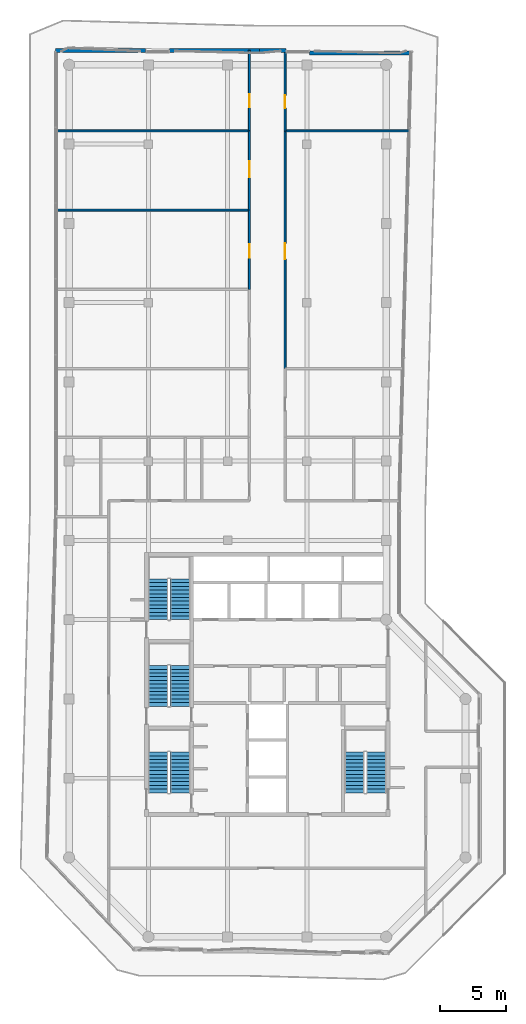
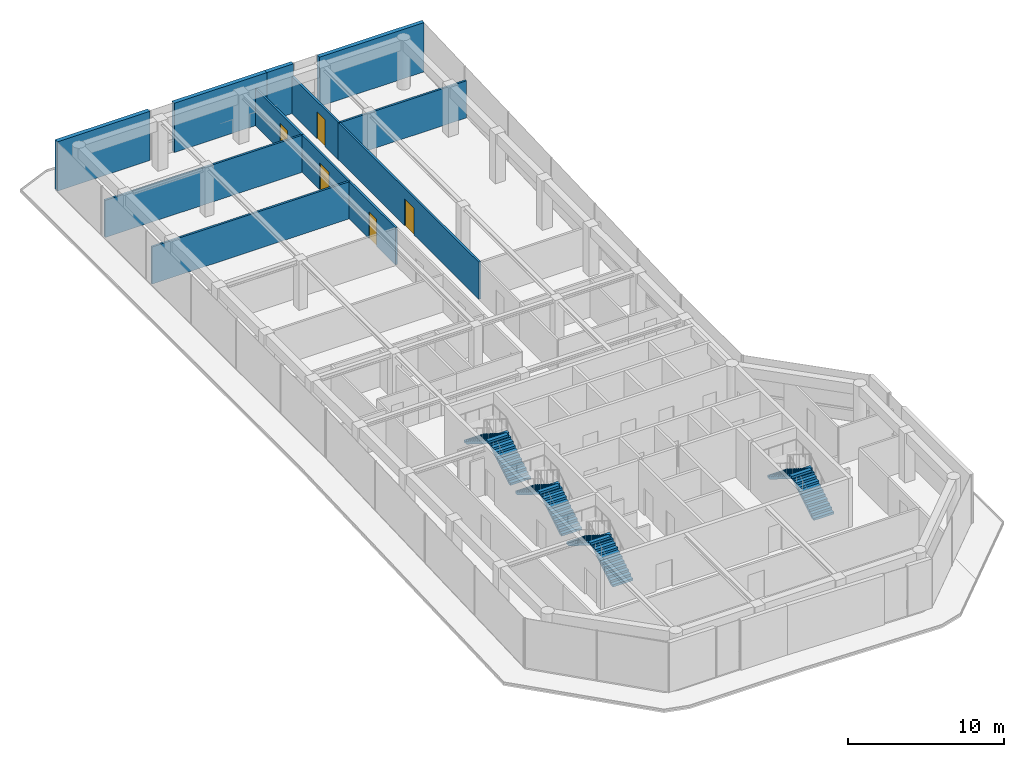
# One storey, part 16 of 18: 12 walls, 8 stair flights, 5 doors, 5 openings, 4 elements without a shape of their own.
"""IFC4 building model written with IfcOpenShell, lengths in metres."""

from ifc_helpers import new_model, si_unit, direction, frame, frame_2d, origin, place, context, subcontext, project, spatial, polyline, rectangle, outline, extrude, material, layer, layer_set, type_object, element, fill, aggregate, save


model = new_model("IFC4")

# Units and contexts
model_context = context("Model", 3, precision=1e-05, world=origin(), true_north=direction((0.0, 1.0)))
body_context = subcontext(model_context, "Body", "Model", "MODEL_VIEW")
ifc_project = project(units=[si_unit("LENGTHUNIT", "METRE"), si_unit("AREAUNIT", "SQUARE_METRE"), si_unit("VOLUMEUNIT", "CUBIC_METRE"), si_unit("PLANEANGLEUNIT", "RADIAN"), si_unit("MASSUNIT", "GRAM", prefix="KILO")], contexts=[model_context])

# Site, building, storey
site_placement = place(None, origin())
site = spatial("IfcSite", under=ifc_project, at=site_placement, CompositionType="ELEMENT")
building_placement = place(site_placement, origin())
building = spatial("IfcBuilding", under=site, at=building_placement, Name="Welwitschia Terrace Campus", CompositionType="ELEMENT")
storey_placement = place(building_placement, frame((0.0, 0.0, 281.0)))
storey = spatial("IfcBuildingStorey", under=building, at=storey_placement, Name="L62", CompositionType="ELEMENT", Elevation=281.0)

# Walls
ifc_material_1 = material(Name="Gypsum board on steel studs", Category="steel")
ifc_layer_1 = layer(ifc_material_1, 0.14990234375)
ifc_layer_set_1 = layer_set([ifc_layer_1], Name="Gypsum board on steel studs")
wall_type_1 = type_object("IfcWallType", Name="Corridor partition 150 EI 30", PredefinedType="PARTITIONING", material=ifc_layer_set_1)
for number, where, z_axis, x_axis, name in (
    (1, (-0.97998046875, 51.0, 0.0), (0.0, 0.0, 1.0), (1.0, 0.0, 0.0), "Partition"),
    (2, (-0.97998046875, 57.0, 0.0), (0.0, 0.0, 1.0), (1.0, 0.0, 0.0), "Partition"),
):
    element("IfcWall", number, at=place(storey_placement, frame(where, z_axis=z_axis, x_axis=x_axis)), inside=storey, type_object=wall_type_1, Name=name, PredefinedType="PARTITIONING", context=body_context, shape_type="SweptSolid", body=[
        extrude(rectangle(XDim=14.6298828125, YDim=0.14990234375, at=frame_2d((7.31494140625, 0.0))), origin(), (0.0, 0.0, 1.0), 2.89990234375),
    ])

# Wall, opening, door
wall_1_placement = place(storey_placement, frame((13.64990234375, 45.0, 0.0), z_axis=(0.0, 0.0, 1.0), x_axis=(0.0, 1.0, 0.0)))
wall_1 = element("IfcWall", 3, at=wall_1_placement, inside=storey, type_object=wall_type_1, Name="Partition", PredefinedType="PARTITIONING", context=body_context, shape_type="SweptSolid", body=[
    extrude(rectangle(XDim=6.0, YDim=0.14990234375, at=frame_2d((3.0, 0.0))), origin(), (0.0, 0.0, 1.0), 2.89990234375),
])
opening_1_placement = place(wall_1_placement, frame((2.39990234375, 0.0, 0.0)))
opening_1 = element("IfcOpeningElement", 4, at=opening_1_placement, cuts=wall_1, Name="Opening DI10", PredefinedType="OPENING", context=body_context, shape_type="SweptSolid", body=[
    extrude(rectangle(XDim=1.0, YDim=2.10009765625, at=frame_2d((0.5, 1.050048828125))), frame((0.0, 0.0849609375, 0.0), z_axis=(0.0, -1.0, 0.0), x_axis=(1.0, 0.0, 0.0)), (0.0, 0.0, 1.0), 0.169921875),
])
ifc_material_2 = material(Name="Timber veneered door", Category="wood")
door_type_1 = type_object("IfcDoorType", Name="Interior door DI10", OperationType="NOTDEFINED", PredefinedType="DOOR", material=ifc_material_2)
door_1_placement = place(opening_1_placement, origin())
door_1 = element("IfcDoor", 5, at=door_1_placement, inside=storey, type_object=door_type_1, Name="Door L62 1110", OperationType="SINGLE_SWING_LEFT", OverallHeight=2.10009765625, OverallWidth=1.0, PredefinedType="DOOR", context=body_context, shape_type="SweptSolid", body=[
    extrude(rectangle(XDim=1.0, YDim=2.10009765625, at=frame_2d((0.5, 1.050048828125))), frame((0.0, 0.02490234375, 0.0), z_axis=(0.0, -1.0, 0.0), x_axis=(1.0, 0.0, 0.0)), (0.0, 0.0, 1.0), 0.050048828125),
])
fill(opening_1, door_1)

wall_2_placement = place(storey_placement, frame((13.64990234375, 51.0, 0.0), z_axis=(0.0, 0.0, 1.0), x_axis=(0.0, 1.0, 0.0)))
wall_2 = element("IfcWall", 6, at=wall_2_placement, inside=storey, type_object=wall_type_1, Name="Partition", PredefinedType="PARTITIONING", context=body_context, shape_type="SweptSolid", body=[
    extrude(rectangle(XDim=6.0, YDim=0.14990234375, at=frame_2d((3.0, 0.0))), origin(), (0.0, 0.0, 1.0), 2.89990234375),
])
opening_2_placement = place(wall_2_placement, frame((2.5, 0.0, 0.0)))
opening_2 = element("IfcOpeningElement", 7, at=opening_2_placement, cuts=wall_2, Name="Opening DI12", PredefinedType="OPENING", context=body_context, shape_type="SweptSolid", body=[
    extrude(rectangle(XDim=1.199951171875, YDim=2.10009765625, at=frame_2d((0.60009765625, 1.050048828125))), frame((0.0, 0.0849609375, 0.0), z_axis=(0.0, -1.0, 0.0), x_axis=(1.0, 0.0, 0.0)), (0.0, 0.0, 1.0), 0.169921875),
])
ifc_material_3 = material(Name="Timber veneered door", Category="wood")
door_type_2 = type_object("IfcDoorType", Name="Interior door DI12", OperationType="NOTDEFINED", PredefinedType="DOOR", material=ifc_material_3)
door_2_placement = place(opening_2_placement, origin())
door_2 = element("IfcDoor", 8, at=door_2_placement, inside=storey, type_object=door_type_2, Name="Door L62 1111", OperationType="SINGLE_SWING_RIGHT", OverallHeight=2.10009765625, OverallWidth=1.199951171875, PredefinedType="DOOR", context=body_context, shape_type="SweptSolid", body=[
    extrude(rectangle(XDim=1.199951171875, YDim=2.10009765625, at=frame_2d((0.60009765625, 1.050048828125))), frame((0.0, 0.02490234375, 0.0), z_axis=(0.0, -1.0, 0.0), x_axis=(1.0, 0.0, 0.0)), (0.0, 0.0, 1.0), 0.050048828125),
])
fill(opening_2, door_2)

wall_3_placement = place(storey_placement, frame((13.64990234375, 57.0, 0.0), z_axis=(0.0, 0.0, 1.0), x_axis=(0.0, 1.0, 0.0)))
wall_3 = element("IfcWall", 9, at=wall_3_placement, inside=storey, type_object=wall_type_1, Name="Partition", PredefinedType="PARTITIONING", context=body_context, shape_type="SweptSolid", body=[
    extrude(rectangle(XDim=6.089599609375, YDim=0.14990234375, at=frame_2d((3.044921875, 0.0))), origin(), (0.0, 0.0, 1.0), 2.89990234375),
])
opening_3_placement = place(wall_3_placement, frame((1.780029296875, 0.0, 0.0)))
opening_3 = element("IfcOpeningElement", 10, at=opening_3_placement, cuts=wall_3, Name="Opening DI10", PredefinedType="OPENING", context=body_context, shape_type="SweptSolid", body=[
    extrude(rectangle(XDim=1.0, YDim=2.10009765625, at=frame_2d((0.5, 1.050048828125))), frame((0.0, 0.0849609375, 0.0), z_axis=(0.0, -1.0, 0.0), x_axis=(1.0, 0.0, 0.0)), (0.0, 0.0, 1.0), 0.169921875),
])
door_3_placement = place(opening_3_placement, origin())
door_3 = element("IfcDoor", 11, at=door_3_placement, inside=storey, type_object=door_type_1, Name="Door L62 1112", OperationType="SINGLE_SWING_LEFT", OverallHeight=2.10009765625, OverallWidth=1.0, PredefinedType="DOOR", context=body_context, shape_type="SweptSolid", body=[
    extrude(rectangle(XDim=1.0, YDim=2.10009765625, at=frame_2d((0.5, 1.050048828125))), frame((0.0, 0.02490234375, 0.0), z_axis=(0.0, -1.0, 0.0), x_axis=(1.0, 0.0, 0.0)), (0.0, 0.0, 1.0), 0.050048828125),
])
fill(opening_3, door_3)

wall_4_placement = place(storey_placement, frame((16.35009765625, 57.0, 0.0), z_axis=(0.0, 0.0, 1.0), x_axis=(0.0, -1.0, 0.0)))
wall_4 = element("IfcWall", 12, at=wall_4_placement, inside=storey, type_object=wall_type_1, Name="Partition", PredefinedType="PARTITIONING", context=body_context, shape_type="SweptSolid", body=[
    extrude(rectangle(XDim=18.0, YDim=0.14990234375, at=frame_2d((9.0, 0.0))), origin(), (0.0, 0.0, 1.0), 2.89990234375),
])
opening_4_placement = place(wall_4_placement, frame((8.5, 0.0, 0.0)))
opening_4 = element("IfcOpeningElement", 13, at=opening_4_placement, cuts=wall_4, Name="Opening DI12", PredefinedType="OPENING", context=body_context, shape_type="SweptSolid", body=[
    extrude(rectangle(XDim=1.199951171875, YDim=2.10009765625, at=frame_2d((0.60009765625, 1.050048828125))), frame((0.0, 0.0849609375, 0.0), z_axis=(0.0, -1.0, 0.0), x_axis=(1.0, 0.0, 0.0)), (0.0, 0.0, 1.0), 0.169921875),
])
door_4_placement = place(opening_4_placement, origin())
door_4 = element("IfcDoor", 14, at=door_4_placement, inside=storey, type_object=door_type_2, Name="Door L62 1114", OperationType="SINGLE_SWING_LEFT", OverallHeight=2.10009765625, OverallWidth=1.199951171875, PredefinedType="DOOR", context=body_context, shape_type="SweptSolid", body=[
    extrude(rectangle(XDim=1.199951171875, YDim=2.10009765625, at=frame_2d((0.60009765625, 1.050048828125))), frame((0.0, 0.02490234375, 0.0), z_axis=(0.0, -1.0, 0.0), x_axis=(1.0, 0.0, 0.0)), (0.0, 0.0, 1.0), 0.050048828125),
])
fill(opening_4, door_4)

# Wall
wall_5_placement = place(storey_placement, frame((16.35009765625, 57.0, 0.0), z_axis=(0.0, 0.0, 1.0), x_axis=(1.0, 0.0, 0.0)))
element("IfcWall", 15, at=wall_5_placement, inside=storey, type_object=wall_type_1, Name="Partition", PredefinedType="PARTITIONING", context=body_context, shape_type="SweptSolid", body=[
    extrude(rectangle(XDim=9.3798828125, YDim=0.14990234375, at=frame_2d((4.68994140625, 0.0))), origin(), (0.0, 0.0, 1.0), 2.89990234375),
])

# Wall, opening, door
wall_6_placement = place(storey_placement, frame((16.35009765625, 62.965087890625, 0.0), z_axis=(0.0, 0.0, 1.0), x_axis=(0.0, -1.0, 0.0)))
wall_6 = element("IfcWall", 16, at=wall_6_placement, inside=storey, type_object=wall_type_1, Name="Partition", PredefinedType="PARTITIONING", context=body_context, shape_type="SweptSolid", body=[
    extrude(rectangle(XDim=5.965087890625, YDim=0.14990234375, at=frame_2d((2.982421875, 0.0))), origin(), (0.0, 0.0, 1.0), 2.89990234375),
])
opening_5_placement = place(wall_6_placement, frame((3.264892578125, 0.0, 0.0)))
opening_5 = element("IfcOpeningElement", 17, at=opening_5_placement, cuts=wall_6, Name="Opening DI10", PredefinedType="OPENING", context=body_context, shape_type="SweptSolid", body=[
    extrude(rectangle(XDim=1.0, YDim=2.10009765625, at=frame_2d((0.5, 1.050048828125))), frame((0.0, 0.0849609375, 0.0), z_axis=(0.0, -1.0, 0.0), x_axis=(1.0, 0.0, 0.0)), (0.0, 0.0, 1.0), 0.169921875),
])
door_5_placement = place(opening_5_placement, origin())
door_5 = element("IfcDoor", 18, at=door_5_placement, inside=storey, type_object=door_type_1, Name="Door L62 1115", OperationType="SINGLE_SWING_RIGHT", OverallHeight=2.10009765625, OverallWidth=1.0, PredefinedType="DOOR", context=body_context, shape_type="SweptSolid", body=[
    extrude(rectangle(XDim=1.0, YDim=2.10009765625, at=frame_2d((0.5, 1.050048828125))), frame((0.0, 0.02490234375, 0.0), z_axis=(0.0, -1.0, 0.0), x_axis=(1.0, 0.0, 0.0)), (0.0, 0.0, 1.0), 0.050048828125),
])
fill(opening_5, door_5)

# Walls
ifc_material_4 = material(Name="Concrete C40/50", Category="concrete")
ifc_layer_2 = layer(ifc_material_4, 0.300048828125)
ifc_layer_set_2 = layer_set([ifc_layer_2], Name="Concrete C40/50")
wall_type_2 = type_object("IfcWallType", Name="Mass wall 300", PredefinedType="SOLIDWALL", material=ifc_layer_set_2)
wall_7_placement = place(storey_placement, frame((25.94091796875, 62.8798828125, 0.0), z_axis=(0.0, 0.0, 1.0), x_axis=(-1.0, 0.0, 0.0)))
element("IfcWall", 19, at=wall_7_placement, inside=storey, type_object=wall_type_2, Name="Mass wall L62.10.0", PredefinedType="SOLIDWALL", context=body_context, shape_type="SweptSolid", body=[
    extrude(rectangle(XDim=7.73583984375, YDim=0.300048828125, at=frame_2d((3.867919921875, 0.0))), origin(), (0.0, 0.0, 1.0), 3.85009765625),
])
wall_8_placement = place(storey_placement, frame((16.405029296875, 63.080078125, 0.0), z_axis=(0.0, 0.0, 1.0), x_axis=(-1.0, 0.0, 0.0)))
element("IfcWall", 20, at=wall_8_placement, inside=storey, type_object=wall_type_2, Name="Mass wall L62.10.1", PredefinedType="SOLIDWALL", context=body_context, shape_type="SweptSolid", body=[
    extrude(rectangle(XDim=1.978515625, YDim=0.300048828125, at=frame_2d((0.9892578125, 0.0))), origin(), (0.0, 0.0, 1.0), 3.85009765625),
])
wall_9_placement = place(storey_placement, frame((14.426513671875, 63.080078125, 0.0), z_axis=(0.0, 0.0, 1.0), x_axis=(-0.999999792909, -0.000643569533, 0.0)))
element("IfcWall", 21, at=wall_9_placement, inside=storey, type_object=wall_type_2, Name="Mass wall L62.11.0", PredefinedType="SOLIDWALL", context=body_context, shape_type="SweptSolid", body=[
    extrude(rectangle(XDim=6.828369140625, YDim=0.300048828125, at=frame_2d((3.4140625, 0.0))), origin(), (0.0, 0.0, 1.0), 3.85009765625),
])
wall_10_placement = place(storey_placement, frame((5.798095703125, 63.090576171875, 0.0), z_axis=(0.0, 0.0, 1.0), x_axis=(-0.999999792894, -0.000643592544, 0.0)))
element("IfcWall", 22, at=wall_10_placement, inside=storey, type_object=wall_type_2, Name="Mass wall L62.11.1", PredefinedType="SOLIDWALL", context=body_context, shape_type="SweptSolid", body=[
    extrude(rectangle(XDim=6.828125, YDim=0.300048828125, at=frame_2d((3.4140625, 0.0))), origin(), (0.0, 0.0, 1.0), 3.85009765625),
])

# Stair, stair flights
ifc_material_5 = material(Name="Concrete C40/50", Category="concrete")
stair_type = type_object("IfcStairType", Name="Stair 24R 175 W1500", PredefinedType="HALF_TURN_STAIR", material=ifc_material_5)
stair_1_placement = place(storey_placement, origin())
stair_1 = element("IfcStair", 23, at=stair_1_placement, inside=storey, type_object=stair_type, Name="L62 Exit stair S1", PredefinedType="HALF_TURN_STAIR")
ifc_material_6 = material(Name="Concrete C40/50", Category="concrete")
stair_flight_type = type_object("IfcStairFlightType", Name="Stair flight 24R 175 W1500", PredefinedType="STRAIGHT", material=ifc_material_6)
stair_flight_1_placement = place(storey_placement, frame((8.39990234375, 6.89990234375, 0.0), z_axis=(0.0, 0.0, 1.0), x_axis=(0.0, 1.0, 0.0)))
stair_flight_1 = element("IfcStairFlight", 24, at=stair_flight_1_placement, type_object=stair_flight_type, Name="S1 flight 1", NumberOfRisers=12, NumberOfTreads=11, PredefinedType="STRAIGHT", RiserHeight=0.175, TreadLength=0.28, context=body_context, shape_type="SweptSolid", body=[
    extrude(outline(polyline([(0.0, 0.0), (0.0, 0.175048828125), (0.280029296875, 0.175048828125), (0.280029296875, 0.35009765625), (0.56005859375, 0.35009765625), (0.56005859375, 0.52490234375), (0.840087890625, 0.52490234375), (0.840087890625, 0.699951171875), (1.1201171875, 0.699951171875), (1.1201171875, 0.875), (1.39990234375, 0.875), (1.39990234375, 1.050048828125), (1.679931640625, 1.050048828125), (1.679931640625, 1.22509765625), (1.9599609375, 1.22509765625), (1.9599609375, 1.39990234375), (2.239990234375, 1.39990234375), (2.239990234375, 1.574951171875), (2.52001953125, 1.574951171875), (2.52001953125, 1.75), (2.800048828125, 1.75), (2.800048828125, 1.925048828125), (3.080078125, 1.925048828125), (3.080078125, 2.10009765625), (3.080078125, 1.748291015625), (0.28271484375, 0.0), (0.0, 0.0)])), frame((0.0, 0.75, 0.0), z_axis=(0.0, -1.0, 0.0), x_axis=(1.0, 0.0, 0.0)), (0.0, 0.0, 1.0), 1.5),
])
stair_flight_2_placement = place(storey_placement, frame((6.75, 9.97998046875, 2.10009765625), z_axis=(0.0, 0.0, 1.0), x_axis=(0.0, -1.0, 0.0)))
stair_flight_2 = element("IfcStairFlight", 25, at=stair_flight_2_placement, type_object=stair_flight_type, Name="S1 flight 2", NumberOfRisers=12, NumberOfTreads=11, PredefinedType="STRAIGHT", RiserHeight=0.175, TreadLength=0.28, context=body_context, shape_type="SweptSolid", body=[
    extrude(outline(polyline([(0.0, 0.0), (0.0, 0.175048828125), (0.280029296875, 0.175048828125), (0.280029296875, 0.35009765625), (0.56005859375, 0.35009765625), (0.56005859375, 0.52490234375), (0.840087890625, 0.52490234375), (0.840087890625, 0.699951171875), (1.1201171875, 0.699951171875), (1.1201171875, 0.875), (1.39990234375, 0.875), (1.39990234375, 1.050048828125), (1.679931640625, 1.050048828125), (1.679931640625, 1.22509765625), (1.9599609375, 1.22509765625), (1.9599609375, 1.39990234375), (2.239990234375, 1.39990234375), (2.239990234375, 1.574951171875), (2.52001953125, 1.574951171875), (2.52001953125, 1.75), (2.800048828125, 1.75), (2.800048828125, 1.925048828125), (3.080078125, 1.925048828125), (3.080078125, 2.10009765625), (3.080078125, 1.748291015625), (0.28271484375, 0.0), (0.0, 0.0)])), frame((0.0, 0.75, 0.0), z_axis=(0.0, -1.0, 0.0), x_axis=(1.0, 0.0, 0.0)), (0.0, 0.0, 1.0), 1.5),
])
aggregate(stair_1, [stair_flight_1, stair_flight_2])

stair_2_placement = place(storey_placement, origin())
stair_2 = element("IfcStair", 26, at=stair_2_placement, inside=storey, type_object=stair_type, Name="L62 Exit stair S3", PredefinedType="HALF_TURN_STAIR")
stair_flight_3_placement = place(storey_placement, frame((8.39990234375, 13.449951171875, 0.0), z_axis=(0.0, 0.0, 1.0), x_axis=(0.0, 1.0, 0.0)))
stair_flight_3 = element("IfcStairFlight", 27, at=stair_flight_3_placement, type_object=stair_flight_type, Name="S3 flight 1", NumberOfRisers=12, NumberOfTreads=11, PredefinedType="STRAIGHT", RiserHeight=0.175, TreadLength=0.28, context=body_context, shape_type="SweptSolid", body=[
    extrude(outline(polyline([(0.0, 0.0), (0.0, 0.175048828125), (0.280029296875, 0.175048828125), (0.280029296875, 0.35009765625), (0.56005859375, 0.35009765625), (0.56005859375, 0.52490234375), (0.840087890625, 0.52490234375), (0.840087890625, 0.699951171875), (1.1201171875, 0.699951171875), (1.1201171875, 0.875), (1.39990234375, 0.875), (1.39990234375, 1.050048828125), (1.679931640625, 1.050048828125), (1.679931640625, 1.22509765625), (1.9599609375, 1.22509765625), (1.9599609375, 1.39990234375), (2.239990234375, 1.39990234375), (2.239990234375, 1.574951171875), (2.52001953125, 1.574951171875), (2.52001953125, 1.75), (2.800048828125, 1.75), (2.800048828125, 1.925048828125), (3.080078125, 1.925048828125), (3.080078125, 2.10009765625), (3.080078125, 1.748291015625), (0.28271484375, 0.0), (0.0, 0.0)])), frame((0.0, 0.75, 0.0), z_axis=(0.0, -1.0, 0.0), x_axis=(1.0, 0.0, 0.0)), (0.0, 0.0, 1.0), 1.5),
])
stair_flight_4_placement = place(storey_placement, frame((6.75, 16.530029296875, 2.10009765625), z_axis=(0.0, 0.0, 1.0), x_axis=(0.0, -1.0, 0.0)))
stair_flight_4 = element("IfcStairFlight", 28, at=stair_flight_4_placement, type_object=stair_flight_type, Name="S3 flight 2", NumberOfRisers=12, NumberOfTreads=11, PredefinedType="STRAIGHT", RiserHeight=0.175, TreadLength=0.28, context=body_context, shape_type="SweptSolid", body=[
    extrude(outline(polyline([(0.0, 0.0), (0.0, 0.175048828125), (0.280029296875, 0.175048828125), (0.280029296875, 0.35009765625), (0.56005859375, 0.35009765625), (0.56005859375, 0.52490234375), (0.840087890625, 0.52490234375), (0.840087890625, 0.699951171875), (1.1201171875, 0.699951171875), (1.1201171875, 0.875), (1.39990234375, 0.875), (1.39990234375, 1.050048828125), (1.679931640625, 1.050048828125), (1.679931640625, 1.22509765625), (1.9599609375, 1.22509765625), (1.9599609375, 1.39990234375), (2.239990234375, 1.39990234375), (2.239990234375, 1.574951171875), (2.52001953125, 1.574951171875), (2.52001953125, 1.75), (2.800048828125, 1.75), (2.800048828125, 1.925048828125), (3.080078125, 1.925048828125), (3.080078125, 2.10009765625), (3.080078125, 1.748291015625), (0.28271484375, 0.0), (0.0, 0.0)])), frame((0.0, 0.75, 0.0), z_axis=(0.0, -1.0, 0.0), x_axis=(1.0, 0.0, 0.0)), (0.0, 0.0, 1.0), 1.5),
])
aggregate(stair_2, [stair_flight_3, stair_flight_4])

stair_3_placement = place(storey_placement, origin())
stair_3 = element("IfcStair", 29, at=stair_3_placement, inside=storey, type_object=stair_type, Name="L62 Exit stair S4", PredefinedType="HALF_TURN_STAIR")
stair_flight_5_placement = place(storey_placement, frame((8.39990234375, 20.0, 0.0), z_axis=(0.0, 0.0, 1.0), x_axis=(0.0, 1.0, 0.0)))
stair_flight_5 = element("IfcStairFlight", 30, at=stair_flight_5_placement, type_object=stair_flight_type, Name="S4 flight 1", NumberOfRisers=12, NumberOfTreads=11, PredefinedType="STRAIGHT", RiserHeight=0.175, TreadLength=0.28, context=body_context, shape_type="SweptSolid", body=[
    extrude(outline(polyline([(0.0, 0.0), (0.0, 0.175048828125), (0.280029296875, 0.175048828125), (0.280029296875, 0.35009765625), (0.56005859375, 0.35009765625), (0.56005859375, 0.52490234375), (0.840087890625, 0.52490234375), (0.840087890625, 0.699951171875), (1.1201171875, 0.699951171875), (1.1201171875, 0.875), (1.39990234375, 0.875), (1.39990234375, 1.050048828125), (1.679931640625, 1.050048828125), (1.679931640625, 1.22509765625), (1.9599609375, 1.22509765625), (1.9599609375, 1.39990234375), (2.239990234375, 1.39990234375), (2.239990234375, 1.574951171875), (2.52001953125, 1.574951171875), (2.52001953125, 1.75), (2.800048828125, 1.75), (2.800048828125, 1.925048828125), (3.080078125, 1.925048828125), (3.080078125, 2.10009765625), (3.080078125, 1.748291015625), (0.28271484375, 0.0), (0.0, 0.0)])), frame((0.0, 0.75, 0.0), z_axis=(0.0, -1.0, 0.0), x_axis=(1.0, 0.0, 0.0)), (0.0, 0.0, 1.0), 1.5),
])
stair_flight_6_placement = place(storey_placement, frame((6.75, 23.080078125, 2.10009765625), z_axis=(0.0, 0.0, 1.0), x_axis=(0.0, -1.0, 0.0)))
stair_flight_6 = element("IfcStairFlight", 31, at=stair_flight_6_placement, type_object=stair_flight_type, Name="S4 flight 2", NumberOfRisers=12, NumberOfTreads=11, PredefinedType="STRAIGHT", RiserHeight=0.175, TreadLength=0.28, context=body_context, shape_type="SweptSolid", body=[
    extrude(outline(polyline([(0.0, 0.0), (0.0, 0.175048828125), (0.280029296875, 0.175048828125), (0.280029296875, 0.35009765625), (0.56005859375, 0.35009765625), (0.56005859375, 0.52490234375), (0.840087890625, 0.52490234375), (0.840087890625, 0.699951171875), (1.1201171875, 0.699951171875), (1.1201171875, 0.875), (1.39990234375, 0.875), (1.39990234375, 1.050048828125), (1.679931640625, 1.050048828125), (1.679931640625, 1.22509765625), (1.9599609375, 1.22509765625), (1.9599609375, 1.39990234375), (2.239990234375, 1.39990234375), (2.239990234375, 1.574951171875), (2.52001953125, 1.574951171875), (2.52001953125, 1.75), (2.800048828125, 1.75), (2.800048828125, 1.925048828125), (3.080078125, 1.925048828125), (3.080078125, 2.10009765625), (3.080078125, 1.748291015625), (0.28271484375, 0.0), (0.0, 0.0)])), frame((0.0, 0.75, 0.0), z_axis=(0.0, -1.0, 0.0), x_axis=(1.0, 0.0, 0.0)), (0.0, 0.0, 1.0), 1.5),
])
aggregate(stair_3, [stair_flight_5, stair_flight_6])

stair_4_placement = place(storey_placement, origin())
stair_4 = element("IfcStair", 32, at=stair_4_placement, inside=storey, type_object=stair_type, Name="L62 Exit stair S2", PredefinedType="HALF_TURN_STAIR")
stair_flight_7_placement = place(storey_placement, frame((23.25, 6.89990234375, 0.0), z_axis=(0.0, 0.0, 1.0), x_axis=(0.0, 1.0, 0.0)))
stair_flight_7 = element("IfcStairFlight", 33, at=stair_flight_7_placement, type_object=stair_flight_type, Name="S2 flight 1", NumberOfRisers=12, NumberOfTreads=11, PredefinedType="STRAIGHT", RiserHeight=0.175, TreadLength=0.28, context=body_context, shape_type="SweptSolid", body=[
    extrude(outline(polyline([(0.0, 0.0), (0.0, 0.175048828125), (0.280029296875, 0.175048828125), (0.280029296875, 0.35009765625), (0.56005859375, 0.35009765625), (0.56005859375, 0.52490234375), (0.840087890625, 0.52490234375), (0.840087890625, 0.699951171875), (1.1201171875, 0.699951171875), (1.1201171875, 0.875), (1.39990234375, 0.875), (1.39990234375, 1.050048828125), (1.679931640625, 1.050048828125), (1.679931640625, 1.22509765625), (1.9599609375, 1.22509765625), (1.9599609375, 1.39990234375), (2.239990234375, 1.39990234375), (2.239990234375, 1.574951171875), (2.52001953125, 1.574951171875), (2.52001953125, 1.75), (2.800048828125, 1.75), (2.800048828125, 1.925048828125), (3.080078125, 1.925048828125), (3.080078125, 2.10009765625), (3.080078125, 1.748291015625), (0.28271484375, 0.0), (0.0, 0.0)])), frame((0.0, 0.75, 0.0), z_axis=(0.0, -1.0, 0.0), x_axis=(1.0, 0.0, 0.0)), (0.0, 0.0, 1.0), 1.5),
])
stair_flight_8_placement = place(storey_placement, frame((21.60009765625, 9.97998046875, 2.10009765625), z_axis=(0.0, 0.0, 1.0), x_axis=(0.0, -1.0, 0.0)))
stair_flight_8 = element("IfcStairFlight", 34, at=stair_flight_8_placement, type_object=stair_flight_type, Name="S2 flight 2", NumberOfRisers=12, NumberOfTreads=11, PredefinedType="STRAIGHT", RiserHeight=0.175, TreadLength=0.28, context=body_context, shape_type="SweptSolid", body=[
    extrude(outline(polyline([(0.0, 0.0), (0.0, 0.175048828125), (0.280029296875, 0.175048828125), (0.280029296875, 0.35009765625), (0.56005859375, 0.35009765625), (0.56005859375, 0.52490234375), (0.840087890625, 0.52490234375), (0.840087890625, 0.699951171875), (1.1201171875, 0.699951171875), (1.1201171875, 0.875), (1.39990234375, 0.875), (1.39990234375, 1.050048828125), (1.679931640625, 1.050048828125), (1.679931640625, 1.22509765625), (1.9599609375, 1.22509765625), (1.9599609375, 1.39990234375), (2.239990234375, 1.39990234375), (2.239990234375, 1.574951171875), (2.52001953125, 1.574951171875), (2.52001953125, 1.75), (2.800048828125, 1.75), (2.800048828125, 1.925048828125), (3.080078125, 1.925048828125), (3.080078125, 2.10009765625), (3.080078125, 1.748291015625), (0.28271484375, 0.0), (0.0, 0.0)])), frame((0.0, 0.75, 0.0), z_axis=(0.0, -1.0, 0.0), x_axis=(1.0, 0.0, 0.0)), (0.0, 0.0, 1.0), 1.5),
])
aggregate(stair_4, [stair_flight_7, stair_flight_8])

save(model, "model.ifc")
